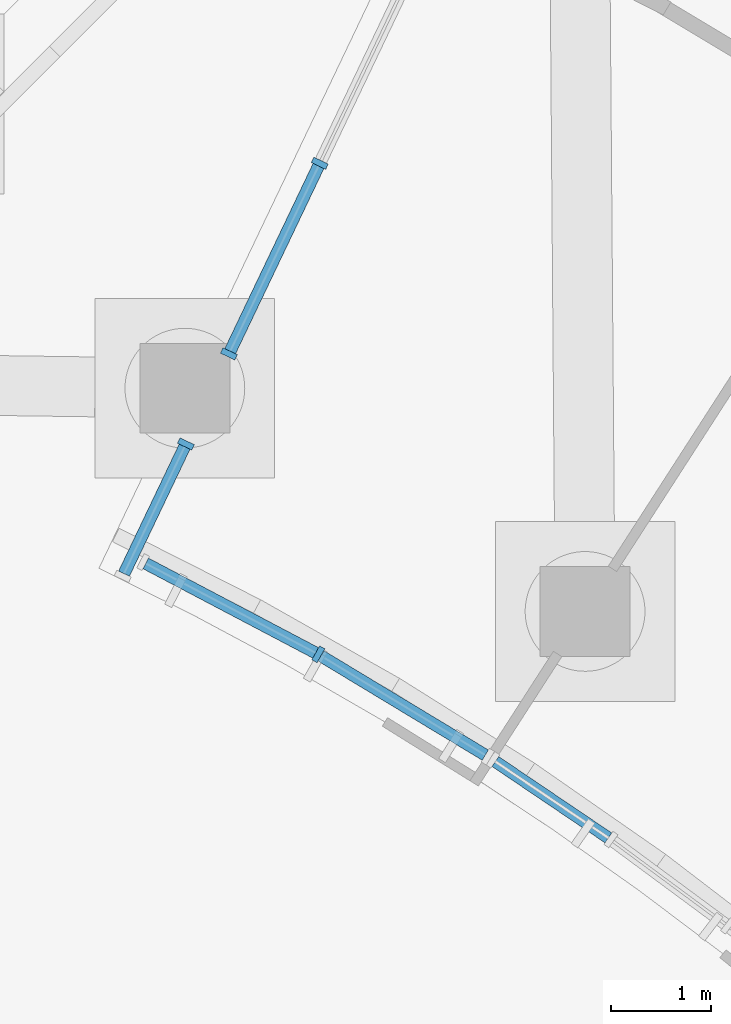
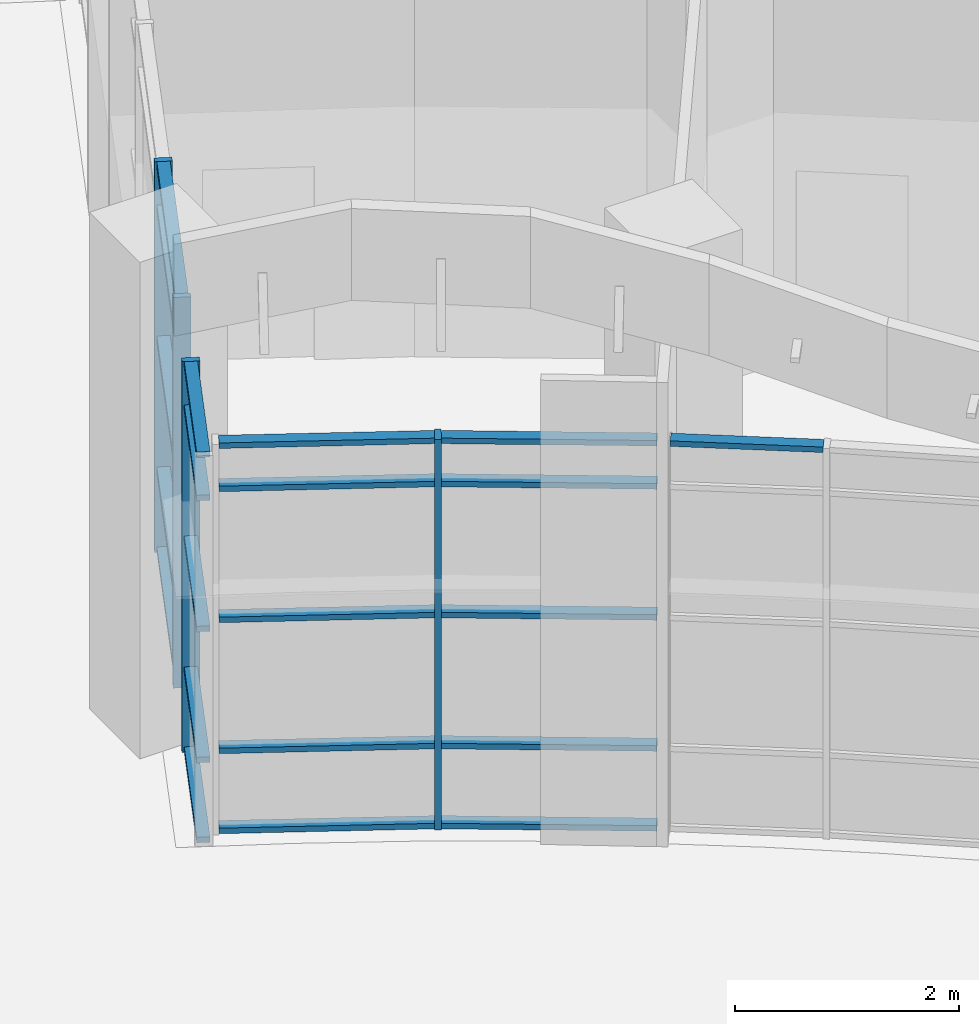
# One storey, part 18 of 146: 25 members, 4 elements without a shape of their own.
"""IFC4 building model written with IfcOpenShell, lengths in metres."""

from ifc_helpers import new_model, si_unit, direction, frame, origin, origin_2d, place, context, subcontext, project, spatial, rectangle, extrude, material, material_profile, profile_set, type_object, element, aggregate, save


model = new_model("IFC4")

# Units and contexts
model_context = context("Model", 3, precision=1e-05, world=origin(), true_north=direction((0.0, 1.0)))
body_context = subcontext(model_context, "Body", "Model", "MODEL_VIEW")
ifc_project = project(units=[si_unit("LENGTHUNIT", "METRE"), si_unit("AREAUNIT", "SQUARE_METRE"), si_unit("VOLUMEUNIT", "CUBIC_METRE"), si_unit("PLANEANGLEUNIT", "RADIAN"), si_unit("MASSUNIT", "GRAM", prefix="KILO")], contexts=[model_context])

# Site, building, storey
site_placement = place(None, origin())
site = spatial("IfcSite", under=ifc_project, at=site_placement, CompositionType="ELEMENT")
building_placement = place(site_placement, origin())
building = spatial("IfcBuilding", under=site, at=building_placement, Name="Bougainvillea Quay General Hospital", CompositionType="ELEMENT")
storey_placement = place(building_placement, origin())
storey = spatial("IfcBuildingStorey", under=building, at=storey_placement, Name="L00", CompositionType="ELEMENT", Elevation=0.0)

# Curtain wall, members
ifc_material_1 = material(Name="Aluminium curtain wall system, powder-coated glazed", Category="aluminium")
curtain_wall_type_1 = type_object("IfcCurtainWallType", Name="Unitised curtain wall CW-2147", PredefinedType="NOTDEFINED", material=ifc_material_1)
curtain_wall_1_placement = place(storey_placement, origin())
curtain_wall_1 = element("IfcCurtainWall", 1, at=curtain_wall_1_placement, inside=storey, type_object=curtain_wall_type_1, Name="CW-AE 00", PredefinedType="NOTDEFINED")
ifc_material_2 = material(Name="Aluminium mullion, powder-coated charcoal", Category="aluminium")
ifc_material_profile_1 = material_profile(ifc_material_2, rectangle(XDim=0.159912109375, YDim=0.06005859375, at=origin_2d()))
ifc_profile_set_1 = profile_set([ifc_material_profile_1], Name="Aluminium mullion, powder-coated charcoal")
member_type_1 = type_object("IfcMemberType", Name="Curtain wall mullion 160x60", PredefinedType="MULLION", material=ifc_profile_set_1)
member_1_placement = place(storey_placement, frame((126.0498046875, 56.74658203125, 0.0), z_axis=(0.0, 0.0, 1.0), x_axis=(0.902576055431, -0.430530445105, 0.0)))
member_1 = element("IfcMember", 2, at=member_1_placement, type_object=member_type_1, Name="CW-AE mullion 5", PredefinedType="MULLION", context=body_context, shape_type="SweptSolid", body=[
    extrude(rectangle(XDim=0.159912109375, YDim=0.06005859375, at=origin_2d()), origin(), (0.0, 0.0, 1.0), 4.25),
])
member_2_placement = place(storey_placement, frame((125.138916015625, 54.836669921875, 0.0), z_axis=(0.0, 0.0, 1.0), x_axis=(0.902576055431, -0.430530445105, 0.0)))
member_2 = element("IfcMember", 3, at=member_2_placement, type_object=member_type_1, Name="CW-AE mullion 6", PredefinedType="MULLION", context=body_context, shape_type="SweptSolid", body=[
    extrude(rectangle(XDim=0.159912109375, YDim=0.06005859375, at=origin_2d()), origin(), (0.0, 0.0, 1.0), 4.25),
])

# Curtain wall, member
curtain_wall_type_2 = type_object("IfcCurtainWallType", Name="Unitised curtain wall CW-1530", PredefinedType="NOTDEFINED", material=ifc_material_1)
curtain_wall_2_placement = place(storey_placement, origin())
curtain_wall_2 = element("IfcCurtainWall", 4, at=curtain_wall_2_placement, inside=storey, type_object=curtain_wall_type_2, Name="CW-AE 01", PredefinedType="NOTDEFINED")
member_3_placement = place(storey_placement, frame((124.708251953125, 53.93408203125, 0.0), z_axis=(0.0, 0.0, 1.0), x_axis=(0.902576055431, -0.430530445105, 0.0)))
member_3 = element("IfcMember", 5, at=member_3_placement, type_object=member_type_1, Name="CW-AE mullion 1", PredefinedType="MULLION", context=body_context, shape_type="SweptSolid", body=[
    extrude(rectangle(XDim=0.159912109375, YDim=0.06005859375, at=origin_2d()), origin(), (0.0, 0.0, 1.0), 4.25),
])

curtain_wall_type_3 = type_object("IfcCurtainWallType", Name="Unitised curtain wall CW-2100", PredefinedType="NOTDEFINED", material=ifc_material_1)
curtain_wall_3_placement = place(storey_placement, origin())
curtain_wall_3 = element("IfcCurtainWall", 6, at=curtain_wall_3_placement, inside=storey, type_object=curtain_wall_type_3, Name="CW-E01 a21b0", PredefinedType="NOTDEFINED")
member_4_placement = place(storey_placement, frame((126.035400390625, 51.82666015625, 0.0), z_axis=(0.0, 0.0, 1.0), x_axis=(0.491544628503, 0.870852385993, 0.0)))
member_4 = element("IfcMember", 7, at=member_4_placement, type_object=member_type_1, Name="CW-E01 mullion 2", PredefinedType="MULLION", context=body_context, shape_type="SweptSolid", body=[
    extrude(rectangle(XDim=0.159912109375, YDim=0.06005859375, at=origin_2d()), origin(), (0.0, 0.0, 1.0), 4.25),
])

# Member
ifc_material_3 = material(Name="Aluminium transom, powder-coated charcoal", Category="aluminium")
ifc_material_profile_2 = material_profile(ifc_material_3, rectangle(XDim=0.1201171875, YDim=0.06005859375, at=origin_2d()))
ifc_profile_set_2 = profile_set([ifc_material_profile_2], Name="Aluminium transom, powder-coated charcoal")
member_type_2 = type_object("IfcMemberType", Name="Curtain wall transom 120x60", PredefinedType="USERDEFINED", material=ifc_profile_set_2)
member_5_placement = place(storey_placement, frame((126.037109375, 56.719482421875, 0.030029296875), z_axis=(-0.430560331853, -0.90256179879, 0.0), x_axis=(0.90256179879, -0.430560331853, 0.0)))
member_5 = element("IfcMember", 8, at=member_5_placement, type_object=member_type_2, Name="CW-AE transom 5.1", ObjectType="TRANSOM", PredefinedType="USERDEFINED", context=body_context, shape_type="SweptSolid", body=[
    extrude(rectangle(XDim=0.1201171875, YDim=0.06005859375, at=origin_2d()), origin(), (0.0, 0.0, 1.0), 2.05615234375),
])

member_6_placement = place(storey_placement, frame((126.037109375, 56.719482421875, 0.89990234375), z_axis=(-0.430560331853, -0.90256179879, 0.0), x_axis=(0.90256179879, -0.430560331853, 0.0)))
member_6 = element("IfcMember", 9, at=member_6_placement, type_object=member_type_2, Name="CW-AE transom 5.2", ObjectType="TRANSOM", PredefinedType="USERDEFINED", context=body_context, shape_type="SweptSolid", body=[
    extrude(rectangle(XDim=0.1201171875, YDim=0.06005859375, at=origin_2d()), origin(), (0.0, 0.0, 1.0), 2.05615234375),
])

member_7_placement = place(storey_placement, frame((126.037109375, 56.719482421875, 2.324951171875), z_axis=(-0.430560331853, -0.90256179879, 0.0), x_axis=(0.90256179879, -0.430560331853, 0.0)))
member_7 = element("IfcMember", 10, at=member_7_placement, type_object=member_type_2, Name="CW-AE transom 5.3", ObjectType="TRANSOM", PredefinedType="USERDEFINED", context=body_context, shape_type="SweptSolid", body=[
    extrude(rectangle(XDim=0.1201171875, YDim=0.06005859375, at=origin_2d()), origin(), (0.0, 0.0, 1.0), 2.05615234375),
])

member_8_placement = place(storey_placement, frame((126.037109375, 56.719482421875, 3.75), z_axis=(-0.430560331853, -0.90256179879, 0.0), x_axis=(0.90256179879, -0.430560331853, 0.0)))
member_8 = element("IfcMember", 11, at=member_8_placement, type_object=member_type_2, Name="CW-AE transom 5.4", ObjectType="TRANSOM", PredefinedType="USERDEFINED", context=body_context, shape_type="SweptSolid", body=[
    extrude(rectangle(XDim=0.1201171875, YDim=0.06005859375, at=origin_2d()), origin(), (0.0, 0.0, 1.0), 2.05615234375),
])

member_9_placement = place(storey_placement, frame((126.037109375, 56.719482421875, 4.219970703125), z_axis=(-0.430560331853, -0.90256179879, 0.0), x_axis=(0.90256179879, -0.430560331853, 0.0)))
member_9 = element("IfcMember", 12, at=member_9_placement, type_object=member_type_2, Name="CW-AE transom 5.5", ObjectType="TRANSOM", PredefinedType="USERDEFINED", context=body_context, shape_type="SweptSolid", body=[
    extrude(rectangle(XDim=0.1201171875, YDim=0.06005859375, at=origin_2d()), origin(), (0.0, 0.0, 1.0), 2.05615234375),
])

aggregate(curtain_wall_1, [member_1, member_2, member_5, member_6, member_7, member_8, member_9])

member_10_placement = place(storey_placement, frame((124.695556640625, 53.906982421875, 0.030029296875), z_axis=(-0.43065265636, -0.90251775028, 0.0), x_axis=(0.90251775028, -0.43065265636, 0.0)))
member_10 = element("IfcMember", 13, at=member_10_placement, type_object=member_type_2, Name="CW-AE transom 1.1", ObjectType="TRANSOM", PredefinedType="USERDEFINED", context=body_context, shape_type="SweptSolid", body=[
    extrude(rectangle(XDim=0.1201171875, YDim=0.06005859375, at=origin_2d()), origin(), (0.0, 0.0, 1.0), 1.409912109375),
])

member_11_placement = place(storey_placement, frame((124.695556640625, 53.906982421875, 0.89990234375), z_axis=(-0.43065265636, -0.90251775028, 0.0), x_axis=(0.90251775028, -0.43065265636, 0.0)))
member_11 = element("IfcMember", 14, at=member_11_placement, type_object=member_type_2, Name="CW-AE transom 1.2", ObjectType="TRANSOM", PredefinedType="USERDEFINED", context=body_context, shape_type="SweptSolid", body=[
    extrude(rectangle(XDim=0.1201171875, YDim=0.06005859375, at=origin_2d()), origin(), (0.0, 0.0, 1.0), 1.409912109375),
])

member_12_placement = place(storey_placement, frame((124.695556640625, 53.906982421875, 2.324951171875), z_axis=(-0.43065265636, -0.90251775028, 0.0), x_axis=(0.90251775028, -0.43065265636, 0.0)))
member_12 = element("IfcMember", 15, at=member_12_placement, type_object=member_type_2, Name="CW-AE transom 1.3", ObjectType="TRANSOM", PredefinedType="USERDEFINED", context=body_context, shape_type="SweptSolid", body=[
    extrude(rectangle(XDim=0.1201171875, YDim=0.06005859375, at=origin_2d()), origin(), (0.0, 0.0, 1.0), 1.409912109375),
])

member_13_placement = place(storey_placement, frame((124.695556640625, 53.906982421875, 3.75), z_axis=(-0.43065265636, -0.90251775028, 0.0), x_axis=(0.90251775028, -0.43065265636, 0.0)))
member_13 = element("IfcMember", 16, at=member_13_placement, type_object=member_type_2, Name="CW-AE transom 1.4", ObjectType="TRANSOM", PredefinedType="USERDEFINED", context=body_context, shape_type="SweptSolid", body=[
    extrude(rectangle(XDim=0.1201171875, YDim=0.06005859375, at=origin_2d()), origin(), (0.0, 0.0, 1.0), 1.409912109375),
])

member_14_placement = place(storey_placement, frame((124.695556640625, 53.906982421875, 4.219970703125), z_axis=(-0.43065265636, -0.90251775028, 0.0), x_axis=(0.90251775028, -0.43065265636, 0.0)))
member_14 = element("IfcMember", 17, at=member_14_placement, type_object=member_type_2, Name="CW-AE transom 1.5", ObjectType="TRANSOM", PredefinedType="USERDEFINED", context=body_context, shape_type="SweptSolid", body=[
    extrude(rectangle(XDim=0.1201171875, YDim=0.06005859375, at=origin_2d()), origin(), (0.0, 0.0, 1.0), 1.409912109375),
])

aggregate(curtain_wall_2, [member_3, member_10, member_11, member_12, member_13, member_14])

member_15_placement = place(storey_placement, frame((124.30615234375, 52.73681640625, 0.030029296875), z_axis=(0.884893449726, -0.465793497841, 0.0), x_axis=(0.465793497841, 0.884893449726, 0.0)))
member_15 = element("IfcMember", 18, at=member_15_placement, type_object=member_type_2, Name="CW-E01 transom 1.1", ObjectType="TRANSOM", PredefinedType="USERDEFINED", context=body_context, shape_type="SweptSolid", body=[
    extrude(rectangle(XDim=0.1201171875, YDim=0.06005859375, at=origin_2d()), origin(), (0.0, 0.0, 1.0), 1.924072265625),
])

member_16_placement = place(storey_placement, frame((124.30615234375, 52.73681640625, 0.89990234375), z_axis=(0.884893449726, -0.465793497841, 0.0), x_axis=(0.465793497841, 0.884893449726, 0.0)))
member_16 = element("IfcMember", 19, at=member_16_placement, type_object=member_type_2, Name="CW-E01 transom 1.2", ObjectType="TRANSOM", PredefinedType="USERDEFINED", context=body_context, shape_type="SweptSolid", body=[
    extrude(rectangle(XDim=0.1201171875, YDim=0.06005859375, at=origin_2d()), origin(), (0.0, 0.0, 1.0), 1.924072265625),
])

member_17_placement = place(storey_placement, frame((124.30615234375, 52.73681640625, 2.324951171875), z_axis=(0.884893449726, -0.465793497841, 0.0), x_axis=(0.465793497841, 0.884893449726, 0.0)))
member_17 = element("IfcMember", 20, at=member_17_placement, type_object=member_type_2, Name="CW-E01 transom 1.3", ObjectType="TRANSOM", PredefinedType="USERDEFINED", context=body_context, shape_type="SweptSolid", body=[
    extrude(rectangle(XDim=0.1201171875, YDim=0.06005859375, at=origin_2d()), origin(), (0.0, 0.0, 1.0), 1.924072265625),
])

member_18_placement = place(storey_placement, frame((124.30615234375, 52.73681640625, 3.75), z_axis=(0.884893449726, -0.465793497841, 0.0), x_axis=(0.465793497841, 0.884893449726, 0.0)))
member_18 = element("IfcMember", 21, at=member_18_placement, type_object=member_type_2, Name="CW-E01 transom 1.4", ObjectType="TRANSOM", PredefinedType="USERDEFINED", context=body_context, shape_type="SweptSolid", body=[
    extrude(rectangle(XDim=0.1201171875, YDim=0.06005859375, at=origin_2d()), origin(), (0.0, 0.0, 1.0), 1.924072265625),
])

member_19_placement = place(storey_placement, frame((124.30615234375, 52.73681640625, 4.219970703125), z_axis=(0.884893449726, -0.465793497841, 0.0), x_axis=(0.465793497841, 0.884893449726, 0.0)))
member_19 = element("IfcMember", 22, at=member_19_placement, type_object=member_type_2, Name="CW-E01 transom 1.5", ObjectType="TRANSOM", PredefinedType="USERDEFINED", context=body_context, shape_type="SweptSolid", body=[
    extrude(rectangle(XDim=0.1201171875, YDim=0.06005859375, at=origin_2d()), origin(), (0.0, 0.0, 1.0), 1.924072265625),
])

member_20_placement = place(storey_placement, frame((126.06103515625, 51.81103515625, 0.030029296875), z_axis=(0.856045378247, -0.516900677483, 0.0), x_axis=(0.516900677483, 0.856045378247, 0.0)))
member_20 = element("IfcMember", 23, at=member_20_placement, type_object=member_type_2, Name="CW-E01 transom 2.1", ObjectType="TRANSOM", PredefinedType="USERDEFINED", context=body_context, shape_type="SweptSolid", body=[
    extrude(rectangle(XDim=0.1201171875, YDim=0.06005859375, at=origin_2d()), origin(), (0.0, 0.0, 1.0), 1.92431640625),
])

member_21_placement = place(storey_placement, frame((126.06103515625, 51.81103515625, 0.89990234375), z_axis=(0.856045378247, -0.516900677483, 0.0), x_axis=(0.516900677483, 0.856045378247, 0.0)))
member_21 = element("IfcMember", 24, at=member_21_placement, type_object=member_type_2, Name="CW-E01 transom 2.2", ObjectType="TRANSOM", PredefinedType="USERDEFINED", context=body_context, shape_type="SweptSolid", body=[
    extrude(rectangle(XDim=0.1201171875, YDim=0.06005859375, at=origin_2d()), origin(), (0.0, 0.0, 1.0), 1.92431640625),
])

member_22_placement = place(storey_placement, frame((126.06103515625, 51.81103515625, 2.324951171875), z_axis=(0.856045378247, -0.516900677483, 0.0), x_axis=(0.516900677483, 0.856045378247, 0.0)))
member_22 = element("IfcMember", 25, at=member_22_placement, type_object=member_type_2, Name="CW-E01 transom 2.3", ObjectType="TRANSOM", PredefinedType="USERDEFINED", context=body_context, shape_type="SweptSolid", body=[
    extrude(rectangle(XDim=0.1201171875, YDim=0.06005859375, at=origin_2d()), origin(), (0.0, 0.0, 1.0), 1.92431640625),
])

member_23_placement = place(storey_placement, frame((126.06103515625, 51.81103515625, 3.75), z_axis=(0.856045378247, -0.516900677483, 0.0), x_axis=(0.516900677483, 0.856045378247, 0.0)))
member_23 = element("IfcMember", 26, at=member_23_placement, type_object=member_type_2, Name="CW-E01 transom 2.4", ObjectType="TRANSOM", PredefinedType="USERDEFINED", context=body_context, shape_type="SweptSolid", body=[
    extrude(rectangle(XDim=0.1201171875, YDim=0.06005859375, at=origin_2d()), origin(), (0.0, 0.0, 1.0), 1.92431640625),
])

member_24_placement = place(storey_placement, frame((126.06103515625, 51.81103515625, 4.219970703125), z_axis=(0.856045378247, -0.516900677483, 0.0), x_axis=(0.516900677483, 0.856045378247, 0.0)))
member_24 = element("IfcMember", 27, at=member_24_placement, type_object=member_type_2, Name="CW-E01 transom 2.5", ObjectType="TRANSOM", PredefinedType="USERDEFINED", context=body_context, shape_type="SweptSolid", body=[
    extrude(rectangle(XDim=0.1201171875, YDim=0.06005859375, at=origin_2d()), origin(), (0.0, 0.0, 1.0), 1.92431640625),
])

aggregate(curtain_wall_3, [member_4, member_15, member_16, member_17, member_18, member_19, member_20, member_21, member_22, member_23, member_24])

# Curtain wall, member
curtain_wall_4_placement = place(storey_placement, origin())
curtain_wall_4 = element("IfcCurtainWall", 28, at=curtain_wall_4_placement, inside=storey, type_object=curtain_wall_type_3, Name="CW-E02 a21b1", PredefinedType="NOTDEFINED")
member_25_placement = place(storey_placement, frame((127.809326171875, 50.751953125, 4.219970703125), z_axis=(0.828627038145, -0.559801064356, 0.0), x_axis=(0.559801064356, 0.828627038145, 0.0)))
member_25 = element("IfcMember", 29, at=member_25_placement, type_object=member_type_2, Name="CW-E02 transom 1.5", ObjectType="TRANSOM", PredefinedType="USERDEFINED", context=body_context, shape_type="SweptSolid", body=[
    extrude(rectangle(XDim=0.1201171875, YDim=0.06005859375, at=origin_2d()), origin(), (0.0, 0.0, 1.0), 1.36669921875),
])
aggregate(curtain_wall_4, [member_25])

save(model, "model.ifc")
